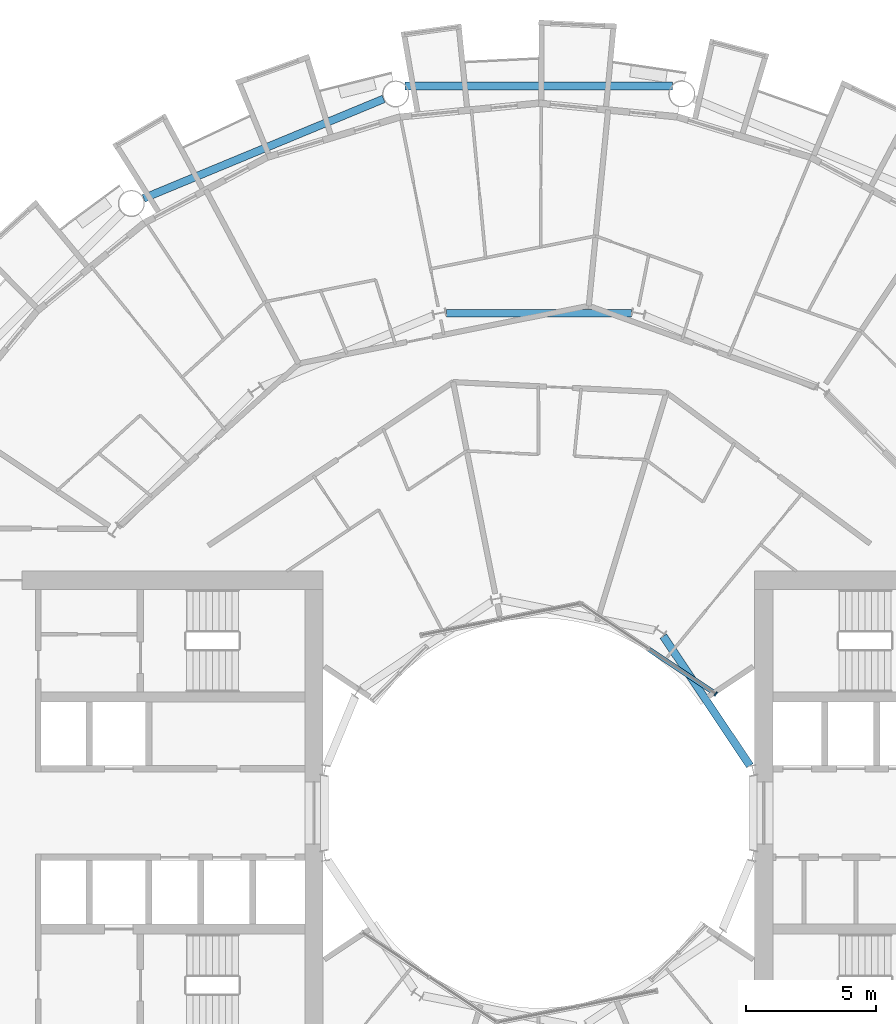
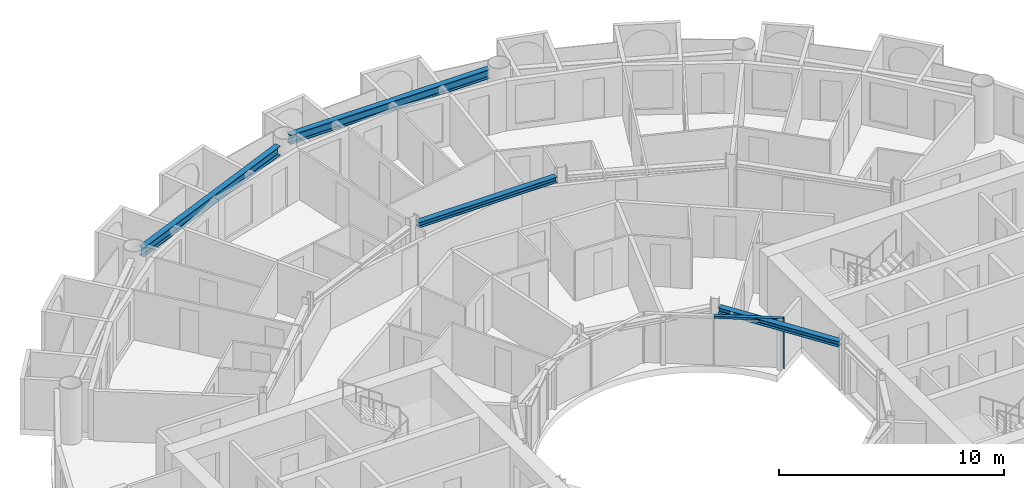
# One storey, part 8 of 26: 4 beams, 2 members, 1 element without a shape of its own.
"""IFC4 building model written with IfcOpenShell, lengths in metres."""

from ifc_helpers import new_model, si_unit, direction, frame, origin, origin_2d, place, context, subcontext, project, spatial, rectangle, i_section, extrude, material, layer, layer_set, material_profile, profile_set, type_object, element, aggregate, save


model = new_model("IFC4")

# Units and contexts
model_context = context("Model", 3, precision=1e-05, world=origin(), true_north=direction((0.0, 1.0)))
body_context = subcontext(model_context, "Body", "Model", "MODEL_VIEW")
ifc_project = project(units=[si_unit("LENGTHUNIT", "METRE"), si_unit("AREAUNIT", "SQUARE_METRE"), si_unit("VOLUMEUNIT", "CUBIC_METRE"), si_unit("PLANEANGLEUNIT", "RADIAN"), si_unit("MASSUNIT", "GRAM", prefix="KILO")], contexts=[model_context])

# Site, building, storey
site_placement = place(None, origin())
site = spatial("IfcSite", under=ifc_project, at=site_placement, CompositionType="ELEMENT")
building_placement = place(site_placement, origin())
building = spatial("IfcBuilding", under=site, at=building_placement, Name="Maasbend Ring Residences", CompositionType="ELEMENT")
storey_placement = place(building_placement, frame((0.0, 0.0, 66.64990234375)))
storey = spatial("IfcBuildingStorey", under=building, at=storey_placement, Name="L18", CompositionType="ELEMENT", Elevation=66.64990234375)

# Curtain wall, members
ifc_material_1 = material(Name="Aluminium and clear glass", Category="aluminium")
ifc_layer = layer(ifc_material_1, 0.179931640625)
ifc_layer_set = layer_set([ifc_layer], Name="CW-W")
curtain_wall_type = type_object("IfcCurtainWallType", Name="CW-W", PredefinedType="NOTDEFINED", material=ifc_layer_set)
curtain_wall_placement = place(storey_placement, origin())
curtain_wall = element("IfcCurtainWall", 1, at=curtain_wall_placement, inside=storey, type_object=curtain_wall_type, Name="Well curtain wall N1", PredefinedType="NOTDEFINED")
ifc_material_2 = material(Name="Aluminium 6063-T6", Category="aluminium")
ifc_material_profile_1 = material_profile(ifc_material_2, rectangle(XDim=0.179931640625, YDim=0.06005859375, at=origin_2d()), Name="AL 180x60")
ifc_profile_set_1 = profile_set([ifc_material_profile_1], Name="Aluminium 6063-T6")
member_type_1 = type_object("IfcMemberType", Name="CWM-W", PredefinedType="MULLION", material=ifc_profile_set_1)
member_1_placement = place(storey_placement, frame((6.805908203125, 4.580810546875, 0.0), z_axis=(0.0, 0.0, 1.0), x_axis=(-0.55557023302, -0.831469612303, 0.0)))
member_1 = element("IfcMember", 2, at=member_1_placement, type_object=member_type_1, Name="Mullion well face", PredefinedType="MULLION", context=body_context, shape_type="SweptSolid", body=[
    extrude(rectangle(XDim=0.179931640625, YDim=0.06005859375, at=origin_2d()), origin(), (0.0, 0.0, 1.0), 2.7001953125),
])
ifc_material_3 = material(Name="Aluminium 6063-T6", Category="aluminium")
ifc_material_profile_2 = material_profile(ifc_material_3, rectangle(XDim=0.179931640625, YDim=0.1201171875, at=origin_2d()), Name="AL 180x120")
ifc_profile_set_2 = profile_set([ifc_material_profile_2], Name="Aluminium 6063-T6")
member_type_2 = type_object("IfcMemberType", Name="CWT-W", PredefinedType="USERDEFINED", material=ifc_profile_set_2)
member_2_placement = place(storey_placement, frame((6.781005859375, 4.59765625, 2.64013671875), z_axis=(-0.831496422459, 0.555530106689, 0.0), x_axis=(-0.555530106689, -0.831496422459, 0.0)))
member_2 = element("IfcMember", 3, at=member_2_placement, type_object=member_type_2, Name="Transom well face", ObjectType="TRANSOM", PredefinedType="USERDEFINED", context=body_context, shape_type="SweptSolid", body=[
    extrude(rectangle(XDim=0.179931640625, YDim=0.1201171875, at=origin_2d()), origin(), (0.0, 0.0, 1.0), 3.053955078125),
])
aggregate(curtain_wall, [member_1, member_2])

# Beams
ifc_material_4 = material(Name="Steel S355J2", Category="steel")
ifc_material_profile_3 = material_profile(ifc_material_4, i_section(OverallWidth=0.300048828125, OverallDepth=0.300048828125, WebThickness=0.010986328125, FlangeThickness=0.01904296875, FilletRadius=0.027099609375, at=origin_2d()), Name="HEB 300")
ifc_profile_set_3 = profile_set([ifc_material_profile_3], Name="Steel S355J2")
beam_type_1 = type_object("IfcBeamType", Name="Corridor ring beam HEB 300", PredefinedType="BEAM", material=ifc_profile_set_3)
beam_1_placement = place(storey_placement, frame((3.556640625, 19.223388671875, 2.550048828125), z_axis=(-1.0, 0.0, 0.0), x_axis=(0.0, -1.0, 0.0)))
element("IfcBeam", 4, at=beam_1_placement, inside=storey, type_object=beam_type_1, Name="Corridor ring beam", PredefinedType="BEAM", context=body_context, shape_type="SweptSolid", body=[
    extrude(i_section(OverallWidth=0.300048828125, OverallDepth=0.300048828125, WebThickness=0.010986328125, FlangeThickness=0.01904296875, FilletRadius=0.027099609375, at=origin_2d()), origin(), (0.0, 0.0, 1.0), 7.11328125),
])
ifc_material_5 = material(Name="Steel S355J2", Category="steel")
ifc_material_profile_4 = material_profile(ifc_material_5, i_section(OverallWidth=0.300048828125, OverallDepth=0.5, WebThickness=0.014404296875, FlangeThickness=0.028076171875, FilletRadius=0.027099609375, at=origin_2d()), Name="HEB 500")
ifc_profile_set_4 = profile_set([ifc_material_profile_4], Name="Steel S355J2")
beam_type_2 = type_object("IfcBeamType", Name="Spandrel ring beam HEB 500", PredefinedType="SPANDREL", material=ifc_profile_set_4)
beam_2_placement = place(storey_placement, frame((5.1435546875, 27.9580078125, 2.4501953125), z_axis=(-1.0, 0.0, 0.0), x_axis=(0.0, -1.0, 0.0)))
element("IfcBeam", 5, at=beam_2_placement, inside=storey, type_object=beam_type_2, Name="Spandrel ring beam", PredefinedType="SPANDREL", context=body_context, shape_type="SweptSolid", body=[
    extrude(i_section(OverallWidth=0.300048828125, OverallDepth=0.5, WebThickness=0.014404296875, FlangeThickness=0.028076171875, FilletRadius=0.027099609375, at=origin_2d()), origin(), (0.0, 0.0, 1.0), 10.287109375),
])
beam_3_placement = place(storey_placement, frame((-5.970703125, 27.463623046875, 2.4501953125), z_axis=(-0.923886337442, -0.382667003395, 0.0), x_axis=(0.382667003395, -0.923886337442, 0.0)))
element("IfcBeam", 6, at=beam_3_placement, inside=storey, type_object=beam_type_2, Name="Spandrel ring beam", PredefinedType="SPANDREL", context=body_context, shape_type="SweptSolid", body=[
    extrude(i_section(OverallWidth=0.300048828125, OverallDepth=0.5, WebThickness=0.014404296875, FlangeThickness=0.028076171875, FilletRadius=0.027099609375, at=origin_2d()), origin(), (0.0, 0.0, 1.0), 9.9873046875),
])
ifc_material_6 = material(Name="Steel S355J2", Category="steel")
ifc_material_profile_5 = material_profile(ifc_material_6, i_section(OverallWidth=0.300048828125, OverallDepth=0.300048828125, WebThickness=0.010986328125, FlangeThickness=0.01904296875, FilletRadius=0.027099609375, at=origin_2d()), Name="HEB 300")
ifc_profile_set_5 = profile_set([ifc_material_profile_5], Name="Steel S355J2")
beam_type_3 = type_object("IfcBeamType", Name="Well edge beam HEB 300", PredefinedType="BEAM", material=ifc_profile_set_5)
beam_4_placement = place(storey_placement, frame((8.118408203125, 1.81884765625, 2.550048828125), z_axis=(-0.555592533493, 0.83145471117, 0.0), x_axis=(-0.83145471117, -0.555592533493, 0.0)))
element("IfcBeam", 7, at=beam_4_placement, inside=storey, type_object=beam_type_3, Name="Well edge beam", PredefinedType="BEAM", context=body_context, shape_type="SweptSolid", body=[
    extrude(i_section(OverallWidth=0.300048828125, OverallDepth=0.300048828125, WebThickness=0.010986328125, FlangeThickness=0.01904296875, FilletRadius=0.027099609375, at=origin_2d()), origin(), (0.0, 0.0, 1.0), 5.995849609375),
])

save(model, "model.ifc")
